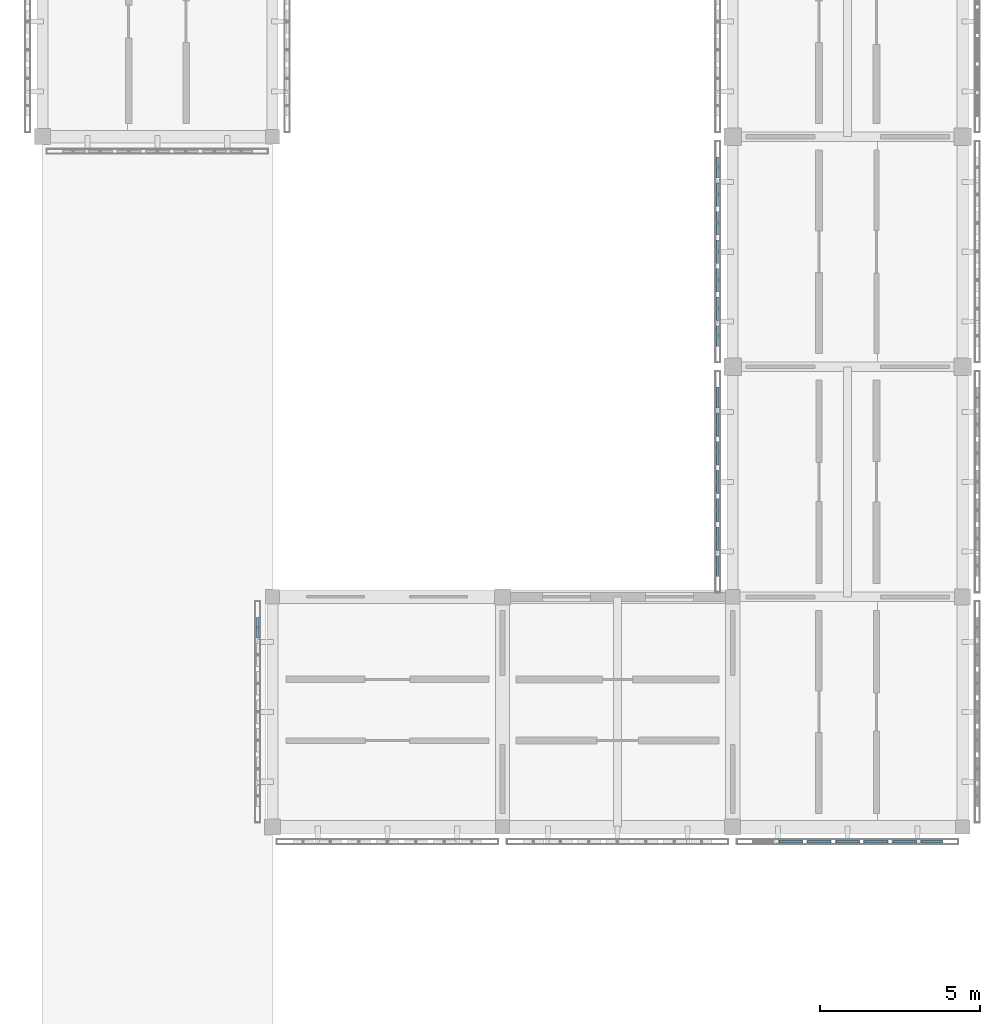
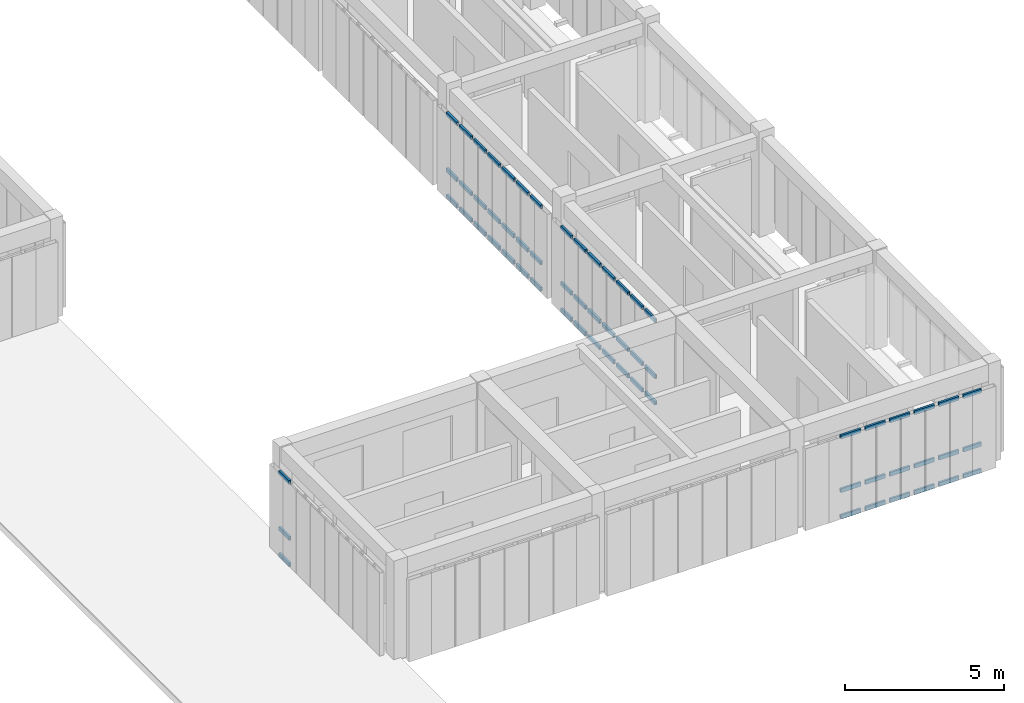
# One storey, part 27 of 67: 63 members, 4 elements without a shape of their own.
"""IFC4 building model written with IfcOpenShell, lengths in metres."""

from ifc_helpers import new_model, si_unit, direction, frame, origin, origin_2d, place, context, subcontext, project, spatial, hollow_rectangle, extrude, material, material_profile, profile_set, type_object, element, aggregate, save


model = new_model("IFC4")

# Units and contexts
model_context = context("Model", 3, precision=1e-05, world=origin(), true_north=direction((0.0, 1.0)))
body_context = subcontext(model_context, "Body", "Model", "MODEL_VIEW")
ifc_project = project(units=[si_unit("LENGTHUNIT", "METRE"), si_unit("AREAUNIT", "SQUARE_METRE"), si_unit("VOLUMEUNIT", "CUBIC_METRE"), si_unit("PLANEANGLEUNIT", "RADIAN"), si_unit("MASSUNIT", "GRAM", prefix="KILO")], contexts=[model_context])

# Site, building, storey
site_placement = place(None, origin())
site = spatial("IfcSite", under=ifc_project, at=site_placement, CompositionType="ELEMENT")
building_placement = place(site_placement, origin())
building = spatial("IfcBuilding", under=site, at=building_placement, Name="Aldebral Square Health Centre", CompositionType="ELEMENT")
storey_placement = place(building_placement, frame((0.0, 0.0, 13.5)))
storey = spatial("IfcBuildingStorey", under=building, at=storey_placement, Name="L03", CompositionType="ELEMENT", Elevation=13.5)

# Curtain wall, members
ifc_material_1 = material(Name="Aluminium and low-E solar glass", Category="aluminium")
curtain_wall_type = type_object("IfcCurtainWallType", Name="CW-FIN-SYS", PredefinedType="USERDEFINED", material=ifc_material_1)
curtain_wall_1_placement = place(storey_placement, origin())
curtain_wall_1 = element("IfcCurtainWall", 1, at=curtain_wall_1_placement, inside=storey, type_object=curtain_wall_type, Name="L03 V5 finned curtain wall L03-V5-20-08-W", ObjectType="SOLAR_CURTAIN_WALL", PredefinedType="USERDEFINED")
ifc_material_2 = material(Name="Anodised aluminium transom", Category="aluminium")
ifc_material_profile = material_profile(ifc_material_2, hollow_rectangle(XDim=0.074951171875, YDim=0.14990234375, WallThickness=0.00390625, at=origin_2d()), Name="CWT 75x150x4")
ifc_profile_set = profile_set([ifc_material_profile], Name="Anodised aluminium transom")
member_type = type_object("IfcMemberType", Name="CWT-STD", PredefinedType="USERDEFINED", material=ifc_profile_set)
member_1_placement = place(storey_placement, frame((143.5400390625, 64.159912109375, 0.03759765625), z_axis=(0.0, -1.0, 0.0), x_axis=(1.0, 0.0, 0.0)))
member_1 = element("IfcMember", 2, at=member_1_placement, type_object=member_type, Name="CW1 transom 1.1", ObjectType="TRANSOM", PredefinedType="USERDEFINED", context=body_context, shape_type="SweptSolid", body=[
    extrude(hollow_rectangle(XDim=0.074951171875, YDim=0.14990234375, WallThickness=0.00390625, at=origin_2d()), origin(), (0.0, 0.0, 1.0), 0.6513671875),
])
member_2_placement = place(storey_placement, frame((143.5400390625, 64.159912109375, 1.050048828125), z_axis=(0.0, -1.0, 0.0), x_axis=(1.0, 0.0, 0.0)))
member_2 = element("IfcMember", 3, at=member_2_placement, type_object=member_type, Name="CW1 transom 1.2", ObjectType="TRANSOM", PredefinedType="USERDEFINED", context=body_context, shape_type="SweptSolid", body=[
    extrude(hollow_rectangle(XDim=0.074951171875, YDim=0.14990234375, WallThickness=0.00390625, at=origin_2d()), origin(), (0.0, 0.0, 1.0), 0.6513671875),
])
member_3_placement = place(storey_placement, frame((143.5400390625, 64.159912109375, 3.202392578125), z_axis=(0.0, -1.0, 0.0), x_axis=(1.0, 0.0, 0.0)))
member_3 = element("IfcMember", 4, at=member_3_placement, type_object=member_type, Name="CW1 transom 1.3", ObjectType="TRANSOM", PredefinedType="USERDEFINED", context=body_context, shape_type="SweptSolid", body=[
    extrude(hollow_rectangle(XDim=0.074951171875, YDim=0.14990234375, WallThickness=0.00390625, at=origin_2d()), origin(), (0.0, 0.0, 1.0), 0.6513671875),
])
aggregate(curtain_wall_1, [member_1, member_2, member_3])

curtain_wall_2_placement = place(storey_placement, origin())
curtain_wall_2 = element("IfcCurtainWall", 5, at=curtain_wall_2_placement, inside=storey, type_object=curtain_wall_type, Name="L03 V5 finned curtain wall L03-V5-22-08-S", ObjectType="SOLAR_CURTAIN_WALL", PredefinedType="USERDEFINED")
member_4_placement = place(storey_placement, frame((159.851318359375, 57.139892578125, 0.03759765625), z_axis=(1.0, 0.0, 0.0), x_axis=(0.0, 1.0, 0.0)))
member_4 = element("IfcMember", 6, at=member_4_placement, type_object=member_type, Name="CW1 transom 2.1", ObjectType="TRANSOM", PredefinedType="USERDEFINED", context=body_context, shape_type="SweptSolid", body=[
    extrude(hollow_rectangle(XDim=0.074951171875, YDim=0.14990234375, WallThickness=0.00390625, at=origin_2d()), origin(), (0.0, 0.0, 1.0), 0.7314453125),
])
member_5_placement = place(storey_placement, frame((159.851318359375, 57.139892578125, 1.050048828125), z_axis=(1.0, 0.0, 0.0), x_axis=(0.0, 1.0, 0.0)))
member_5 = element("IfcMember", 7, at=member_5_placement, type_object=member_type, Name="CW1 transom 2.2", ObjectType="TRANSOM", PredefinedType="USERDEFINED", context=body_context, shape_type="SweptSolid", body=[
    extrude(hollow_rectangle(XDim=0.074951171875, YDim=0.14990234375, WallThickness=0.00390625, at=origin_2d()), origin(), (0.0, 0.0, 1.0), 0.7314453125),
])
member_6_placement = place(storey_placement, frame((159.851318359375, 57.139892578125, 3.1025390625), z_axis=(1.0, 0.0, 0.0), x_axis=(0.0, 1.0, 0.0)))
member_6 = element("IfcMember", 8, at=member_6_placement, type_object=member_type, Name="CW1 transom 2.3", ObjectType="TRANSOM", PredefinedType="USERDEFINED", context=body_context, shape_type="SweptSolid", body=[
    extrude(hollow_rectangle(XDim=0.074951171875, YDim=0.14990234375, WallThickness=0.00390625, at=origin_2d()), origin(), (0.0, 0.0, 1.0), 0.7314453125),
])
member_7_placement = place(storey_placement, frame((160.742919921875, 57.139892578125, 0.03759765625), z_axis=(1.0, 0.0, 0.0), x_axis=(0.0, 1.0, 0.0)))
member_7 = element("IfcMember", 9, at=member_7_placement, type_object=member_type, Name="CW1 transom 3.1", ObjectType="TRANSOM", PredefinedType="USERDEFINED", context=body_context, shape_type="SweptSolid", body=[
    extrude(hollow_rectangle(XDim=0.074951171875, YDim=0.14990234375, WallThickness=0.00390625, at=origin_2d()), origin(), (0.0, 0.0, 1.0), 0.7314453125),
])
member_8_placement = place(storey_placement, frame((160.742919921875, 57.139892578125, 1.050048828125), z_axis=(1.0, 0.0, 0.0), x_axis=(0.0, 1.0, 0.0)))
member_8 = element("IfcMember", 10, at=member_8_placement, type_object=member_type, Name="CW1 transom 3.2", ObjectType="TRANSOM", PredefinedType="USERDEFINED", context=body_context, shape_type="SweptSolid", body=[
    extrude(hollow_rectangle(XDim=0.074951171875, YDim=0.14990234375, WallThickness=0.00390625, at=origin_2d()), origin(), (0.0, 0.0, 1.0), 0.7314453125),
])
member_9_placement = place(storey_placement, frame((160.742919921875, 57.139892578125, 3.1025390625), z_axis=(1.0, 0.0, 0.0), x_axis=(0.0, 1.0, 0.0)))
member_9 = element("IfcMember", 11, at=member_9_placement, type_object=member_type, Name="CW1 transom 3.3", ObjectType="TRANSOM", PredefinedType="USERDEFINED", context=body_context, shape_type="SweptSolid", body=[
    extrude(hollow_rectangle(XDim=0.074951171875, YDim=0.14990234375, WallThickness=0.00390625, at=origin_2d()), origin(), (0.0, 0.0, 1.0), 0.7314453125),
])
member_10_placement = place(storey_placement, frame((161.63427734375, 57.139892578125, 0.03759765625), z_axis=(1.0, 0.0, 0.0), x_axis=(0.0, 1.0, 0.0)))
member_10 = element("IfcMember", 12, at=member_10_placement, type_object=member_type, Name="CW1 transom 4.1", ObjectType="TRANSOM", PredefinedType="USERDEFINED", context=body_context, shape_type="SweptSolid", body=[
    extrude(hollow_rectangle(XDim=0.074951171875, YDim=0.14990234375, WallThickness=0.00390625, at=origin_2d()), origin(), (0.0, 0.0, 1.0), 0.7314453125),
])
member_11_placement = place(storey_placement, frame((161.63427734375, 57.139892578125, 1.050048828125), z_axis=(1.0, 0.0, 0.0), x_axis=(0.0, 1.0, 0.0)))
member_11 = element("IfcMember", 13, at=member_11_placement, type_object=member_type, Name="CW1 transom 4.2", ObjectType="TRANSOM", PredefinedType="USERDEFINED", context=body_context, shape_type="SweptSolid", body=[
    extrude(hollow_rectangle(XDim=0.074951171875, YDim=0.14990234375, WallThickness=0.00390625, at=origin_2d()), origin(), (0.0, 0.0, 1.0), 0.7314453125),
])
member_12_placement = place(storey_placement, frame((161.63427734375, 57.139892578125, 3.1025390625), z_axis=(1.0, 0.0, 0.0), x_axis=(0.0, 1.0, 0.0)))
member_12 = element("IfcMember", 14, at=member_12_placement, type_object=member_type, Name="CW1 transom 4.3", ObjectType="TRANSOM", PredefinedType="USERDEFINED", context=body_context, shape_type="SweptSolid", body=[
    extrude(hollow_rectangle(XDim=0.074951171875, YDim=0.14990234375, WallThickness=0.00390625, at=origin_2d()), origin(), (0.0, 0.0, 1.0), 0.7314453125),
])
member_13_placement = place(storey_placement, frame((162.525634765625, 57.139892578125, 0.03759765625), z_axis=(1.0, 0.0, 0.0), x_axis=(0.0, 1.0, 0.0)))
member_13 = element("IfcMember", 15, at=member_13_placement, type_object=member_type, Name="CW1 transom 5.1", ObjectType="TRANSOM", PredefinedType="USERDEFINED", context=body_context, shape_type="SweptSolid", body=[
    extrude(hollow_rectangle(XDim=0.074951171875, YDim=0.14990234375, WallThickness=0.00390625, at=origin_2d()), origin(), (0.0, 0.0, 1.0), 0.7314453125),
])
member_14_placement = place(storey_placement, frame((162.525634765625, 57.139892578125, 1.050048828125), z_axis=(1.0, 0.0, 0.0), x_axis=(0.0, 1.0, 0.0)))
member_14 = element("IfcMember", 16, at=member_14_placement, type_object=member_type, Name="CW1 transom 5.2", ObjectType="TRANSOM", PredefinedType="USERDEFINED", context=body_context, shape_type="SweptSolid", body=[
    extrude(hollow_rectangle(XDim=0.074951171875, YDim=0.14990234375, WallThickness=0.00390625, at=origin_2d()), origin(), (0.0, 0.0, 1.0), 0.7314453125),
])
member_15_placement = place(storey_placement, frame((162.525634765625, 57.139892578125, 3.1025390625), z_axis=(1.0, 0.0, 0.0), x_axis=(0.0, 1.0, 0.0)))
member_15 = element("IfcMember", 17, at=member_15_placement, type_object=member_type, Name="CW1 transom 5.3", ObjectType="TRANSOM", PredefinedType="USERDEFINED", context=body_context, shape_type="SweptSolid", body=[
    extrude(hollow_rectangle(XDim=0.074951171875, YDim=0.14990234375, WallThickness=0.00390625, at=origin_2d()), origin(), (0.0, 0.0, 1.0), 0.7314453125),
])
member_16_placement = place(storey_placement, frame((163.417236328125, 57.139892578125, 0.03759765625), z_axis=(1.0, 0.0, 0.0), x_axis=(0.0, 1.0, 0.0)))
member_16 = element("IfcMember", 18, at=member_16_placement, type_object=member_type, Name="CW1 transom 6.1", ObjectType="TRANSOM", PredefinedType="USERDEFINED", context=body_context, shape_type="SweptSolid", body=[
    extrude(hollow_rectangle(XDim=0.074951171875, YDim=0.14990234375, WallThickness=0.00390625, at=origin_2d()), origin(), (0.0, 0.0, 1.0), 0.7314453125),
])
member_17_placement = place(storey_placement, frame((163.417236328125, 57.139892578125, 1.050048828125), z_axis=(1.0, 0.0, 0.0), x_axis=(0.0, 1.0, 0.0)))
member_17 = element("IfcMember", 19, at=member_17_placement, type_object=member_type, Name="CW1 transom 6.2", ObjectType="TRANSOM", PredefinedType="USERDEFINED", context=body_context, shape_type="SweptSolid", body=[
    extrude(hollow_rectangle(XDim=0.074951171875, YDim=0.14990234375, WallThickness=0.00390625, at=origin_2d()), origin(), (0.0, 0.0, 1.0), 0.7314453125),
])
member_18_placement = place(storey_placement, frame((163.417236328125, 57.139892578125, 3.1025390625), z_axis=(1.0, 0.0, 0.0), x_axis=(0.0, 1.0, 0.0)))
member_18 = element("IfcMember", 20, at=member_18_placement, type_object=member_type, Name="CW1 transom 6.3", ObjectType="TRANSOM", PredefinedType="USERDEFINED", context=body_context, shape_type="SweptSolid", body=[
    extrude(hollow_rectangle(XDim=0.074951171875, YDim=0.14990234375, WallThickness=0.00390625, at=origin_2d()), origin(), (0.0, 0.0, 1.0), 0.7314453125),
])
member_19_placement = place(storey_placement, frame((164.30859375, 57.139892578125, 0.03759765625), z_axis=(1.0, 0.0, 0.0), x_axis=(0.0, 1.0, 0.0)))
member_19 = element("IfcMember", 21, at=member_19_placement, type_object=member_type, Name="CW1 transom 7.1", ObjectType="TRANSOM", PredefinedType="USERDEFINED", context=body_context, shape_type="SweptSolid", body=[
    extrude(hollow_rectangle(XDim=0.074951171875, YDim=0.14990234375, WallThickness=0.00390625, at=origin_2d()), origin(), (0.0, 0.0, 1.0), 0.6513671875),
])
member_20_placement = place(storey_placement, frame((164.30859375, 57.139892578125, 1.050048828125), z_axis=(1.0, 0.0, 0.0), x_axis=(0.0, 1.0, 0.0)))
member_20 = element("IfcMember", 22, at=member_20_placement, type_object=member_type, Name="CW1 transom 7.2", ObjectType="TRANSOM", PredefinedType="USERDEFINED", context=body_context, shape_type="SweptSolid", body=[
    extrude(hollow_rectangle(XDim=0.074951171875, YDim=0.14990234375, WallThickness=0.00390625, at=origin_2d()), origin(), (0.0, 0.0, 1.0), 0.6513671875),
])
member_21_placement = place(storey_placement, frame((164.30859375, 57.139892578125, 3.1025390625), z_axis=(1.0, 0.0, 0.0), x_axis=(0.0, 1.0, 0.0)))
member_21 = element("IfcMember", 23, at=member_21_placement, type_object=member_type, Name="CW1 transom 7.3", ObjectType="TRANSOM", PredefinedType="USERDEFINED", context=body_context, shape_type="SweptSolid", body=[
    extrude(hollow_rectangle(XDim=0.074951171875, YDim=0.14990234375, WallThickness=0.00390625, at=origin_2d()), origin(), (0.0, 0.0, 1.0), 0.6513671875),
])
aggregate(curtain_wall_2, [member_4, member_5, member_6, member_7, member_8, member_9, member_10, member_11, member_12, member_13, member_14, member_15, member_16, member_17, member_18, member_19, member_20, member_21])

curtain_wall_3_placement = place(storey_placement, origin())
curtain_wall_3 = element("IfcCurtainWall", 24, at=curtain_wall_3_placement, inside=storey, type_object=curtain_wall_type, Name="L03 V5 finned curtain wall L03-V5-22-09-W", ObjectType="SOLAR_CURTAIN_WALL", PredefinedType="USERDEFINED")
member_22_placement = place(storey_placement, frame((157.93994140625, 71.360107421875, 0.03759765625), z_axis=(0.0, -1.0, 0.0), x_axis=(1.0, 0.0, 0.0)))
member_22 = element("IfcMember", 25, at=member_22_placement, type_object=member_type, Name="CW1 transom 1.1", ObjectType="TRANSOM", PredefinedType="USERDEFINED", context=body_context, shape_type="SweptSolid", body=[
    extrude(hollow_rectangle(XDim=0.074951171875, YDim=0.14990234375, WallThickness=0.00390625, at=origin_2d()), origin(), (0.0, 0.0, 1.0), 0.651611328125),
])
member_23_placement = place(storey_placement, frame((157.93994140625, 71.360107421875, 1.050048828125), z_axis=(0.0, -1.0, 0.0), x_axis=(1.0, 0.0, 0.0)))
member_23 = element("IfcMember", 26, at=member_23_placement, type_object=member_type, Name="CW1 transom 1.2", ObjectType="TRANSOM", PredefinedType="USERDEFINED", context=body_context, shape_type="SweptSolid", body=[
    extrude(hollow_rectangle(XDim=0.074951171875, YDim=0.14990234375, WallThickness=0.00390625, at=origin_2d()), origin(), (0.0, 0.0, 1.0), 0.651611328125),
])
member_24_placement = place(storey_placement, frame((157.93994140625, 71.360107421875, 3.202392578125), z_axis=(0.0, -1.0, 0.0), x_axis=(1.0, 0.0, 0.0)))
member_24 = element("IfcMember", 27, at=member_24_placement, type_object=member_type, Name="CW1 transom 1.3", ObjectType="TRANSOM", PredefinedType="USERDEFINED", context=body_context, shape_type="SweptSolid", body=[
    extrude(hollow_rectangle(XDim=0.074951171875, YDim=0.14990234375, WallThickness=0.00390625, at=origin_2d()), origin(), (0.0, 0.0, 1.0), 0.651611328125),
])
member_25_placement = place(storey_placement, frame((157.93994140625, 70.548583984375, 0.03759765625), z_axis=(0.0, -1.0, 0.0), x_axis=(1.0, 0.0, 0.0)))
member_25 = element("IfcMember", 28, at=member_25_placement, type_object=member_type, Name="CW1 transom 2.1", ObjectType="TRANSOM", PredefinedType="USERDEFINED", context=body_context, shape_type="SweptSolid", body=[
    extrude(hollow_rectangle(XDim=0.074951171875, YDim=0.14990234375, WallThickness=0.00390625, at=origin_2d()), origin(), (0.0, 0.0, 1.0), 0.7314453125),
])
member_26_placement = place(storey_placement, frame((157.93994140625, 70.548583984375, 1.050048828125), z_axis=(0.0, -1.0, 0.0), x_axis=(1.0, 0.0, 0.0)))
member_26 = element("IfcMember", 29, at=member_26_placement, type_object=member_type, Name="CW1 transom 2.2", ObjectType="TRANSOM", PredefinedType="USERDEFINED", context=body_context, shape_type="SweptSolid", body=[
    extrude(hollow_rectangle(XDim=0.074951171875, YDim=0.14990234375, WallThickness=0.00390625, at=origin_2d()), origin(), (0.0, 0.0, 1.0), 0.7314453125),
])
member_27_placement = place(storey_placement, frame((157.93994140625, 70.548583984375, 3.202392578125), z_axis=(0.0, -1.0, 0.0), x_axis=(1.0, 0.0, 0.0)))
member_27 = element("IfcMember", 30, at=member_27_placement, type_object=member_type, Name="CW1 transom 2.3", ObjectType="TRANSOM", PredefinedType="USERDEFINED", context=body_context, shape_type="SweptSolid", body=[
    extrude(hollow_rectangle(XDim=0.074951171875, YDim=0.14990234375, WallThickness=0.00390625, at=origin_2d()), origin(), (0.0, 0.0, 1.0), 0.7314453125),
])
member_28_placement = place(storey_placement, frame((157.93994140625, 69.6572265625, 0.03759765625), z_axis=(0.0, -1.0, 0.0), x_axis=(1.0, 0.0, 0.0)))
member_28 = element("IfcMember", 31, at=member_28_placement, type_object=member_type, Name="CW1 transom 3.1", ObjectType="TRANSOM", PredefinedType="USERDEFINED", context=body_context, shape_type="SweptSolid", body=[
    extrude(hollow_rectangle(XDim=0.074951171875, YDim=0.14990234375, WallThickness=0.00390625, at=origin_2d()), origin(), (0.0, 0.0, 1.0), 0.7314453125),
])
member_29_placement = place(storey_placement, frame((157.93994140625, 69.6572265625, 1.050048828125), z_axis=(0.0, -1.0, 0.0), x_axis=(1.0, 0.0, 0.0)))
member_29 = element("IfcMember", 32, at=member_29_placement, type_object=member_type, Name="CW1 transom 3.2", ObjectType="TRANSOM", PredefinedType="USERDEFINED", context=body_context, shape_type="SweptSolid", body=[
    extrude(hollow_rectangle(XDim=0.074951171875, YDim=0.14990234375, WallThickness=0.00390625, at=origin_2d()), origin(), (0.0, 0.0, 1.0), 0.7314453125),
])
member_30_placement = place(storey_placement, frame((157.93994140625, 69.6572265625, 3.202392578125), z_axis=(0.0, -1.0, 0.0), x_axis=(1.0, 0.0, 0.0)))
member_30 = element("IfcMember", 33, at=member_30_placement, type_object=member_type, Name="CW1 transom 3.3", ObjectType="TRANSOM", PredefinedType="USERDEFINED", context=body_context, shape_type="SweptSolid", body=[
    extrude(hollow_rectangle(XDim=0.074951171875, YDim=0.14990234375, WallThickness=0.00390625, at=origin_2d()), origin(), (0.0, 0.0, 1.0), 0.7314453125),
])
member_31_placement = place(storey_placement, frame((157.93994140625, 68.765625, 0.03759765625), z_axis=(0.0, -1.0, 0.0), x_axis=(1.0, 0.0, 0.0)))
member_31 = element("IfcMember", 34, at=member_31_placement, type_object=member_type, Name="CW1 transom 4.1", ObjectType="TRANSOM", PredefinedType="USERDEFINED", context=body_context, shape_type="SweptSolid", body=[
    extrude(hollow_rectangle(XDim=0.074951171875, YDim=0.14990234375, WallThickness=0.00390625, at=origin_2d()), origin(), (0.0, 0.0, 1.0), 0.7314453125),
])
member_32_placement = place(storey_placement, frame((157.93994140625, 68.765625, 1.050048828125), z_axis=(0.0, -1.0, 0.0), x_axis=(1.0, 0.0, 0.0)))
member_32 = element("IfcMember", 35, at=member_32_placement, type_object=member_type, Name="CW1 transom 4.2", ObjectType="TRANSOM", PredefinedType="USERDEFINED", context=body_context, shape_type="SweptSolid", body=[
    extrude(hollow_rectangle(XDim=0.074951171875, YDim=0.14990234375, WallThickness=0.00390625, at=origin_2d()), origin(), (0.0, 0.0, 1.0), 0.7314453125),
])
member_33_placement = place(storey_placement, frame((157.93994140625, 68.765625, 3.202392578125), z_axis=(0.0, -1.0, 0.0), x_axis=(1.0, 0.0, 0.0)))
member_33 = element("IfcMember", 36, at=member_33_placement, type_object=member_type, Name="CW1 transom 4.3", ObjectType="TRANSOM", PredefinedType="USERDEFINED", context=body_context, shape_type="SweptSolid", body=[
    extrude(hollow_rectangle(XDim=0.074951171875, YDim=0.14990234375, WallThickness=0.00390625, at=origin_2d()), origin(), (0.0, 0.0, 1.0), 0.7314453125),
])
member_34_placement = place(storey_placement, frame((157.93994140625, 67.874267578125, 0.03759765625), z_axis=(0.0, -1.0, 0.0), x_axis=(1.0, 0.0, 0.0)))
member_34 = element("IfcMember", 37, at=member_34_placement, type_object=member_type, Name="CW1 transom 5.1", ObjectType="TRANSOM", PredefinedType="USERDEFINED", context=body_context, shape_type="SweptSolid", body=[
    extrude(hollow_rectangle(XDim=0.074951171875, YDim=0.14990234375, WallThickness=0.00390625, at=origin_2d()), origin(), (0.0, 0.0, 1.0), 0.7314453125),
])
member_35_placement = place(storey_placement, frame((157.93994140625, 67.874267578125, 1.050048828125), z_axis=(0.0, -1.0, 0.0), x_axis=(1.0, 0.0, 0.0)))
member_35 = element("IfcMember", 38, at=member_35_placement, type_object=member_type, Name="CW1 transom 5.2", ObjectType="TRANSOM", PredefinedType="USERDEFINED", context=body_context, shape_type="SweptSolid", body=[
    extrude(hollow_rectangle(XDim=0.074951171875, YDim=0.14990234375, WallThickness=0.00390625, at=origin_2d()), origin(), (0.0, 0.0, 1.0), 0.7314453125),
])
member_36_placement = place(storey_placement, frame((157.93994140625, 67.874267578125, 3.202392578125), z_axis=(0.0, -1.0, 0.0), x_axis=(1.0, 0.0, 0.0)))
member_36 = element("IfcMember", 39, at=member_36_placement, type_object=member_type, Name="CW1 transom 5.3", ObjectType="TRANSOM", PredefinedType="USERDEFINED", context=body_context, shape_type="SweptSolid", body=[
    extrude(hollow_rectangle(XDim=0.074951171875, YDim=0.14990234375, WallThickness=0.00390625, at=origin_2d()), origin(), (0.0, 0.0, 1.0), 0.7314453125),
])
member_37_placement = place(storey_placement, frame((157.93994140625, 66.98291015625, 0.03759765625), z_axis=(0.0, -1.0, 0.0), x_axis=(1.0, 0.0, 0.0)))
member_37 = element("IfcMember", 40, at=member_37_placement, type_object=member_type, Name="CW1 transom 6.1", ObjectType="TRANSOM", PredefinedType="USERDEFINED", context=body_context, shape_type="SweptSolid", body=[
    extrude(hollow_rectangle(XDim=0.074951171875, YDim=0.14990234375, WallThickness=0.00390625, at=origin_2d()), origin(), (0.0, 0.0, 1.0), 0.7314453125),
])
member_38_placement = place(storey_placement, frame((157.93994140625, 66.98291015625, 1.050048828125), z_axis=(0.0, -1.0, 0.0), x_axis=(1.0, 0.0, 0.0)))
member_38 = element("IfcMember", 41, at=member_38_placement, type_object=member_type, Name="CW1 transom 6.2", ObjectType="TRANSOM", PredefinedType="USERDEFINED", context=body_context, shape_type="SweptSolid", body=[
    extrude(hollow_rectangle(XDim=0.074951171875, YDim=0.14990234375, WallThickness=0.00390625, at=origin_2d()), origin(), (0.0, 0.0, 1.0), 0.7314453125),
])
member_39_placement = place(storey_placement, frame((157.93994140625, 66.98291015625, 3.202392578125), z_axis=(0.0, -1.0, 0.0), x_axis=(1.0, 0.0, 0.0)))
member_39 = element("IfcMember", 42, at=member_39_placement, type_object=member_type, Name="CW1 transom 6.3", ObjectType="TRANSOM", PredefinedType="USERDEFINED", context=body_context, shape_type="SweptSolid", body=[
    extrude(hollow_rectangle(XDim=0.074951171875, YDim=0.14990234375, WallThickness=0.00390625, at=origin_2d()), origin(), (0.0, 0.0, 1.0), 0.7314453125),
])
member_40_placement = place(storey_placement, frame((157.93994140625, 66.09130859375, 0.03759765625), z_axis=(0.0, -1.0, 0.0), x_axis=(1.0, 0.0, 0.0)))
member_40 = element("IfcMember", 43, at=member_40_placement, type_object=member_type, Name="CW1 transom 7.1", ObjectType="TRANSOM", PredefinedType="USERDEFINED", context=body_context, shape_type="SweptSolid", body=[
    extrude(hollow_rectangle(XDim=0.074951171875, YDim=0.14990234375, WallThickness=0.00390625, at=origin_2d()), origin(), (0.0, 0.0, 1.0), 0.6513671875),
])
member_41_placement = place(storey_placement, frame((157.93994140625, 66.09130859375, 1.050048828125), z_axis=(0.0, -1.0, 0.0), x_axis=(1.0, 0.0, 0.0)))
member_41 = element("IfcMember", 44, at=member_41_placement, type_object=member_type, Name="CW1 transom 7.2", ObjectType="TRANSOM", PredefinedType="USERDEFINED", context=body_context, shape_type="SweptSolid", body=[
    extrude(hollow_rectangle(XDim=0.074951171875, YDim=0.14990234375, WallThickness=0.00390625, at=origin_2d()), origin(), (0.0, 0.0, 1.0), 0.6513671875),
])
member_42_placement = place(storey_placement, frame((157.93994140625, 66.09130859375, 3.202392578125), z_axis=(0.0, -1.0, 0.0), x_axis=(1.0, 0.0, 0.0)))
member_42 = element("IfcMember", 45, at=member_42_placement, type_object=member_type, Name="CW1 transom 7.3", ObjectType="TRANSOM", PredefinedType="USERDEFINED", context=body_context, shape_type="SweptSolid", body=[
    extrude(hollow_rectangle(XDim=0.074951171875, YDim=0.14990234375, WallThickness=0.00390625, at=origin_2d()), origin(), (0.0, 0.0, 1.0), 0.6513671875),
])
aggregate(curtain_wall_3, [member_22, member_23, member_24, member_25, member_26, member_27, member_28, member_29, member_30, member_31, member_32, member_33, member_34, member_35, member_36, member_37, member_38, member_39, member_40, member_41, member_42])

curtain_wall_4_placement = place(storey_placement, origin())
curtain_wall_4 = element("IfcCurtainWall", 46, at=curtain_wall_4_placement, inside=storey, type_object=curtain_wall_type, Name="L03 V5 finned curtain wall L03-V5-22-10-W", ObjectType="SOLAR_CURTAIN_WALL", PredefinedType="USERDEFINED")
member_43_placement = place(storey_placement, frame((157.93994140625, 78.56005859375, 0.03759765625), z_axis=(0.0, -1.0, 0.0), x_axis=(1.0, 0.0, 0.0)))
member_43 = element("IfcMember", 47, at=member_43_placement, type_object=member_type, Name="CW1 transom 1.1", ObjectType="TRANSOM", PredefinedType="USERDEFINED", context=body_context, shape_type="SweptSolid", body=[
    extrude(hollow_rectangle(XDim=0.074951171875, YDim=0.14990234375, WallThickness=0.00390625, at=origin_2d()), origin(), (0.0, 0.0, 1.0), 0.6513671875),
])
member_44_placement = place(storey_placement, frame((157.93994140625, 78.56005859375, 1.050048828125), z_axis=(0.0, -1.0, 0.0), x_axis=(1.0, 0.0, 0.0)))
member_44 = element("IfcMember", 48, at=member_44_placement, type_object=member_type, Name="CW1 transom 1.2", ObjectType="TRANSOM", PredefinedType="USERDEFINED", context=body_context, shape_type="SweptSolid", body=[
    extrude(hollow_rectangle(XDim=0.074951171875, YDim=0.14990234375, WallThickness=0.00390625, at=origin_2d()), origin(), (0.0, 0.0, 1.0), 0.6513671875),
])
member_45_placement = place(storey_placement, frame((157.93994140625, 78.56005859375, 3.202392578125), z_axis=(0.0, -1.0, 0.0), x_axis=(1.0, 0.0, 0.0)))
member_45 = element("IfcMember", 49, at=member_45_placement, type_object=member_type, Name="CW1 transom 1.3", ObjectType="TRANSOM", PredefinedType="USERDEFINED", context=body_context, shape_type="SweptSolid", body=[
    extrude(hollow_rectangle(XDim=0.074951171875, YDim=0.14990234375, WallThickness=0.00390625, at=origin_2d()), origin(), (0.0, 0.0, 1.0), 0.6513671875),
])
member_46_placement = place(storey_placement, frame((157.93994140625, 77.74853515625, 0.03759765625), z_axis=(0.0, -1.0, 0.0), x_axis=(1.0, 0.0, 0.0)))
member_46 = element("IfcMember", 50, at=member_46_placement, type_object=member_type, Name="CW1 transom 2.1", ObjectType="TRANSOM", PredefinedType="USERDEFINED", context=body_context, shape_type="SweptSolid", body=[
    extrude(hollow_rectangle(XDim=0.074951171875, YDim=0.14990234375, WallThickness=0.00390625, at=origin_2d()), origin(), (0.0, 0.0, 1.0), 0.7314453125),
])
member_47_placement = place(storey_placement, frame((157.93994140625, 77.74853515625, 1.050048828125), z_axis=(0.0, -1.0, 0.0), x_axis=(1.0, 0.0, 0.0)))
member_47 = element("IfcMember", 51, at=member_47_placement, type_object=member_type, Name="CW1 transom 2.2", ObjectType="TRANSOM", PredefinedType="USERDEFINED", context=body_context, shape_type="SweptSolid", body=[
    extrude(hollow_rectangle(XDim=0.074951171875, YDim=0.14990234375, WallThickness=0.00390625, at=origin_2d()), origin(), (0.0, 0.0, 1.0), 0.7314453125),
])
member_48_placement = place(storey_placement, frame((157.93994140625, 77.74853515625, 3.202392578125), z_axis=(0.0, -1.0, 0.0), x_axis=(1.0, 0.0, 0.0)))
member_48 = element("IfcMember", 52, at=member_48_placement, type_object=member_type, Name="CW1 transom 2.3", ObjectType="TRANSOM", PredefinedType="USERDEFINED", context=body_context, shape_type="SweptSolid", body=[
    extrude(hollow_rectangle(XDim=0.074951171875, YDim=0.14990234375, WallThickness=0.00390625, at=origin_2d()), origin(), (0.0, 0.0, 1.0), 0.7314453125),
])
member_49_placement = place(storey_placement, frame((157.93994140625, 76.857177734375, 0.03759765625), z_axis=(0.0, -1.0, 0.0), x_axis=(1.0, 0.0, 0.0)))
member_49 = element("IfcMember", 53, at=member_49_placement, type_object=member_type, Name="CW1 transom 3.1", ObjectType="TRANSOM", PredefinedType="USERDEFINED", context=body_context, shape_type="SweptSolid", body=[
    extrude(hollow_rectangle(XDim=0.074951171875, YDim=0.14990234375, WallThickness=0.00390625, at=origin_2d()), origin(), (0.0, 0.0, 1.0), 0.7314453125),
])
member_50_placement = place(storey_placement, frame((157.93994140625, 76.857177734375, 1.050048828125), z_axis=(0.0, -1.0, 0.0), x_axis=(1.0, 0.0, 0.0)))
member_50 = element("IfcMember", 54, at=member_50_placement, type_object=member_type, Name="CW1 transom 3.2", ObjectType="TRANSOM", PredefinedType="USERDEFINED", context=body_context, shape_type="SweptSolid", body=[
    extrude(hollow_rectangle(XDim=0.074951171875, YDim=0.14990234375, WallThickness=0.00390625, at=origin_2d()), origin(), (0.0, 0.0, 1.0), 0.7314453125),
])
member_51_placement = place(storey_placement, frame((157.93994140625, 76.857177734375, 3.202392578125), z_axis=(0.0, -1.0, 0.0), x_axis=(1.0, 0.0, 0.0)))
member_51 = element("IfcMember", 55, at=member_51_placement, type_object=member_type, Name="CW1 transom 3.3", ObjectType="TRANSOM", PredefinedType="USERDEFINED", context=body_context, shape_type="SweptSolid", body=[
    extrude(hollow_rectangle(XDim=0.074951171875, YDim=0.14990234375, WallThickness=0.00390625, at=origin_2d()), origin(), (0.0, 0.0, 1.0), 0.7314453125),
])
member_52_placement = place(storey_placement, frame((157.93994140625, 75.9658203125, 0.03759765625), z_axis=(0.0, -1.0, 0.0), x_axis=(1.0, 0.0, 0.0)))
member_52 = element("IfcMember", 56, at=member_52_placement, type_object=member_type, Name="CW1 transom 4.1", ObjectType="TRANSOM", PredefinedType="USERDEFINED", context=body_context, shape_type="SweptSolid", body=[
    extrude(hollow_rectangle(XDim=0.074951171875, YDim=0.14990234375, WallThickness=0.00390625, at=origin_2d()), origin(), (0.0, 0.0, 1.0), 0.7314453125),
])
member_53_placement = place(storey_placement, frame((157.93994140625, 75.9658203125, 1.050048828125), z_axis=(0.0, -1.0, 0.0), x_axis=(1.0, 0.0, 0.0)))
member_53 = element("IfcMember", 57, at=member_53_placement, type_object=member_type, Name="CW1 transom 4.2", ObjectType="TRANSOM", PredefinedType="USERDEFINED", context=body_context, shape_type="SweptSolid", body=[
    extrude(hollow_rectangle(XDim=0.074951171875, YDim=0.14990234375, WallThickness=0.00390625, at=origin_2d()), origin(), (0.0, 0.0, 1.0), 0.7314453125),
])
member_54_placement = place(storey_placement, frame((157.93994140625, 75.9658203125, 3.202392578125), z_axis=(0.0, -1.0, 0.0), x_axis=(1.0, 0.0, 0.0)))
member_54 = element("IfcMember", 58, at=member_54_placement, type_object=member_type, Name="CW1 transom 4.3", ObjectType="TRANSOM", PredefinedType="USERDEFINED", context=body_context, shape_type="SweptSolid", body=[
    extrude(hollow_rectangle(XDim=0.074951171875, YDim=0.14990234375, WallThickness=0.00390625, at=origin_2d()), origin(), (0.0, 0.0, 1.0), 0.7314453125),
])
member_55_placement = place(storey_placement, frame((157.93994140625, 75.07421875, 0.03759765625), z_axis=(0.0, -1.0, 0.0), x_axis=(1.0, 0.0, 0.0)))
member_55 = element("IfcMember", 59, at=member_55_placement, type_object=member_type, Name="CW1 transom 5.1", ObjectType="TRANSOM", PredefinedType="USERDEFINED", context=body_context, shape_type="SweptSolid", body=[
    extrude(hollow_rectangle(XDim=0.074951171875, YDim=0.14990234375, WallThickness=0.00390625, at=origin_2d()), origin(), (0.0, 0.0, 1.0), 0.7314453125),
])
member_56_placement = place(storey_placement, frame((157.93994140625, 75.07421875, 1.050048828125), z_axis=(0.0, -1.0, 0.0), x_axis=(1.0, 0.0, 0.0)))
member_56 = element("IfcMember", 60, at=member_56_placement, type_object=member_type, Name="CW1 transom 5.2", ObjectType="TRANSOM", PredefinedType="USERDEFINED", context=body_context, shape_type="SweptSolid", body=[
    extrude(hollow_rectangle(XDim=0.074951171875, YDim=0.14990234375, WallThickness=0.00390625, at=origin_2d()), origin(), (0.0, 0.0, 1.0), 0.7314453125),
])
member_57_placement = place(storey_placement, frame((157.93994140625, 75.07421875, 3.202392578125), z_axis=(0.0, -1.0, 0.0), x_axis=(1.0, 0.0, 0.0)))
member_57 = element("IfcMember", 61, at=member_57_placement, type_object=member_type, Name="CW1 transom 5.3", ObjectType="TRANSOM", PredefinedType="USERDEFINED", context=body_context, shape_type="SweptSolid", body=[
    extrude(hollow_rectangle(XDim=0.074951171875, YDim=0.14990234375, WallThickness=0.00390625, at=origin_2d()), origin(), (0.0, 0.0, 1.0), 0.7314453125),
])
member_58_placement = place(storey_placement, frame((157.93994140625, 74.182861328125, 0.03759765625), z_axis=(0.0, -1.0, 0.0), x_axis=(1.0, 0.0, 0.0)))
member_58 = element("IfcMember", 62, at=member_58_placement, type_object=member_type, Name="CW1 transom 6.1", ObjectType="TRANSOM", PredefinedType="USERDEFINED", context=body_context, shape_type="SweptSolid", body=[
    extrude(hollow_rectangle(XDim=0.074951171875, YDim=0.14990234375, WallThickness=0.00390625, at=origin_2d()), origin(), (0.0, 0.0, 1.0), 0.7314453125),
])
member_59_placement = place(storey_placement, frame((157.93994140625, 74.182861328125, 1.050048828125), z_axis=(0.0, -1.0, 0.0), x_axis=(1.0, 0.0, 0.0)))
member_59 = element("IfcMember", 63, at=member_59_placement, type_object=member_type, Name="CW1 transom 6.2", ObjectType="TRANSOM", PredefinedType="USERDEFINED", context=body_context, shape_type="SweptSolid", body=[
    extrude(hollow_rectangle(XDim=0.074951171875, YDim=0.14990234375, WallThickness=0.00390625, at=origin_2d()), origin(), (0.0, 0.0, 1.0), 0.7314453125),
])
member_60_placement = place(storey_placement, frame((157.93994140625, 74.182861328125, 3.202392578125), z_axis=(0.0, -1.0, 0.0), x_axis=(1.0, 0.0, 0.0)))
member_60 = element("IfcMember", 64, at=member_60_placement, type_object=member_type, Name="CW1 transom 6.3", ObjectType="TRANSOM", PredefinedType="USERDEFINED", context=body_context, shape_type="SweptSolid", body=[
    extrude(hollow_rectangle(XDim=0.074951171875, YDim=0.14990234375, WallThickness=0.00390625, at=origin_2d()), origin(), (0.0, 0.0, 1.0), 0.7314453125),
])
member_61_placement = place(storey_placement, frame((157.93994140625, 73.29150390625, 0.03759765625), z_axis=(0.0, -1.0, 0.0), x_axis=(1.0, 0.0, 0.0)))
member_61 = element("IfcMember", 65, at=member_61_placement, type_object=member_type, Name="CW1 transom 7.1", ObjectType="TRANSOM", PredefinedType="USERDEFINED", context=body_context, shape_type="SweptSolid", body=[
    extrude(hollow_rectangle(XDim=0.074951171875, YDim=0.14990234375, WallThickness=0.00390625, at=origin_2d()), origin(), (0.0, 0.0, 1.0), 0.651611328125),
])
member_62_placement = place(storey_placement, frame((157.93994140625, 73.29150390625, 1.050048828125), z_axis=(0.0, -1.0, 0.0), x_axis=(1.0, 0.0, 0.0)))
member_62 = element("IfcMember", 66, at=member_62_placement, type_object=member_type, Name="CW1 transom 7.2", ObjectType="TRANSOM", PredefinedType="USERDEFINED", context=body_context, shape_type="SweptSolid", body=[
    extrude(hollow_rectangle(XDim=0.074951171875, YDim=0.14990234375, WallThickness=0.00390625, at=origin_2d()), origin(), (0.0, 0.0, 1.0), 0.651611328125),
])
member_63_placement = place(storey_placement, frame((157.93994140625, 73.29150390625, 3.202392578125), z_axis=(0.0, -1.0, 0.0), x_axis=(1.0, 0.0, 0.0)))
member_63 = element("IfcMember", 67, at=member_63_placement, type_object=member_type, Name="CW1 transom 7.3", ObjectType="TRANSOM", PredefinedType="USERDEFINED", context=body_context, shape_type="SweptSolid", body=[
    extrude(hollow_rectangle(XDim=0.074951171875, YDim=0.14990234375, WallThickness=0.00390625, at=origin_2d()), origin(), (0.0, 0.0, 1.0), 0.651611328125),
])
aggregate(curtain_wall_4, [member_43, member_44, member_45, member_46, member_47, member_48, member_49, member_50, member_51, member_52, member_53, member_54, member_55, member_56, member_57, member_58, member_59, member_60, member_61, member_62, member_63])

save(model, "model.ifc")
